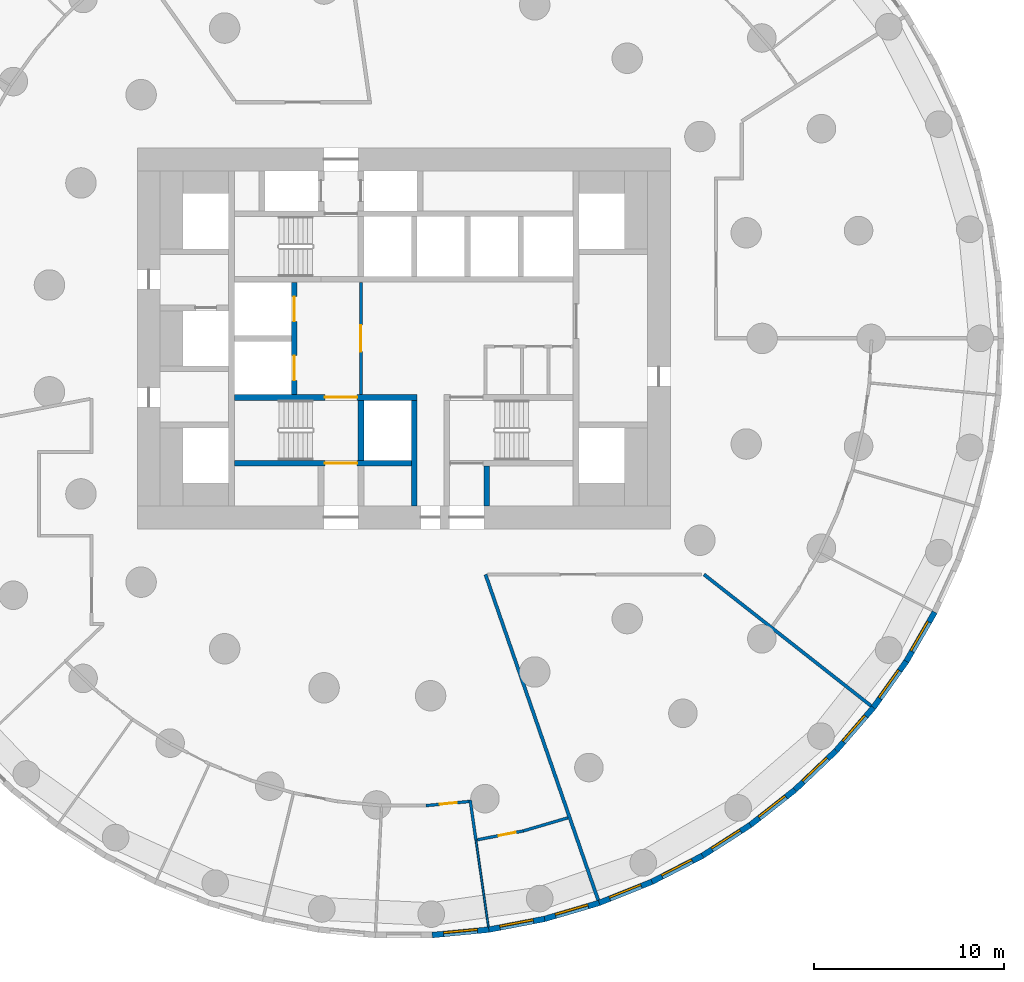
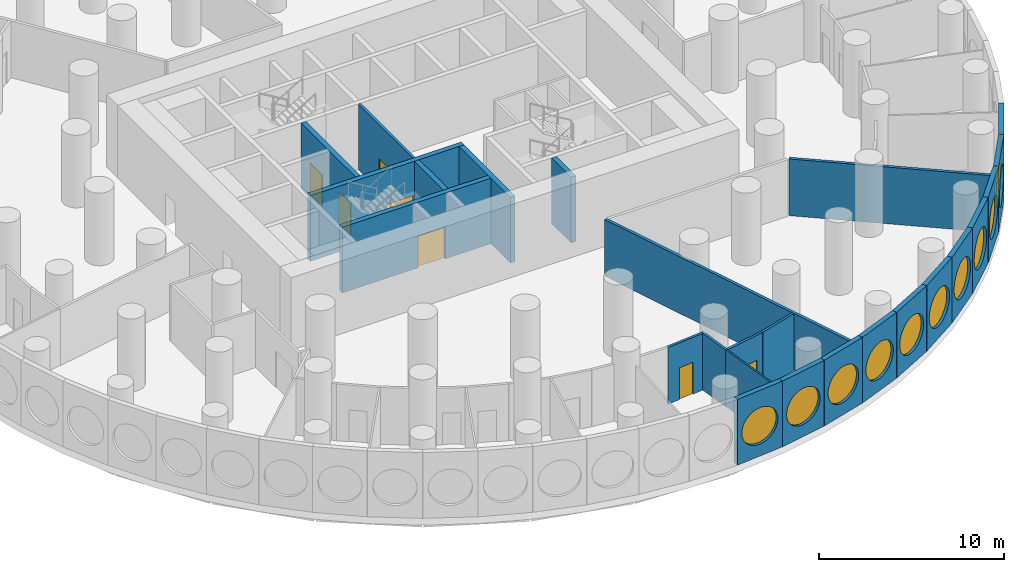
# One storey, part 4 of 11: 25 walls, 11 windows, 7 doors, 18 openings.
"""IFC4 building model written with IfcOpenShell, lengths in metres."""

from ifc_helpers import new_model, si_unit, direction, frame, frame_2d, origin, origin_2d, place, context, subcontext, project, spatial, rectangle, circle, extrude, material, layer, layer_set, type_object, element, fill, save


model = new_model("IFC4")

# Units and contexts
model_context = context("Model", 3, precision=1e-05, world=origin(), true_north=direction((0.0, 1.0)))
body_context = subcontext(model_context, "Body", "Model", "MODEL_VIEW")
ifc_project = project(units=[si_unit("LENGTHUNIT", "METRE"), si_unit("AREAUNIT", "SQUARE_METRE"), si_unit("VOLUMEUNIT", "CUBIC_METRE"), si_unit("PLANEANGLEUNIT", "RADIAN"), si_unit("MASSUNIT", "GRAM", prefix="KILO")], contexts=[model_context])

# Site, building, storey
site_placement = place(None, origin())
site = spatial("IfcSite", under=ifc_project, at=site_placement, CompositionType="ELEMENT")
building_placement = place(site_placement, origin())
building = spatial("IfcBuilding", under=site, at=building_placement, Name="Tracery Tower", CompositionType="ELEMENT")
storey_placement = place(building_placement, frame((0.0, 0.0, 9.0)))
storey = spatial("IfcBuildingStorey", under=building, at=storey_placement, Name="L01", CompositionType="ELEMENT", Elevation=9.0)

# Walls
ifc_material_1 = material(Name="Plasterboard on steel studs", Category="steel")
ifc_layer_1 = layer(ifc_material_1, 0.175048828125)
ifc_layer_set_1 = layer_set([ifc_layer_1], Name="Compartment partition 175")
wall_type_1 = type_object("IfcWallType", Name="Compartment partition 175", PredefinedType="PARTITIONING", material=ifc_layer_set_1)
wall_1_placement = place(storey_placement, frame((10.21240234375, -29.507080078125, 0.0), z_axis=(0.0, 0.0, 1.0), x_axis=(-0.327058221259, 0.945004190418, 0.0)))
element("IfcWall", 1, at=wall_1_placement, inside=storey, type_object=wall_type_1, Name="Compartment partition 175", PredefinedType="PARTITIONING", context=body_context, shape_type="SweptSolid", body=[
    extrude(rectangle(XDim=18.102783203125, YDim=0.175048828125, at=frame_2d((9.05126953125, 0.0))), origin(), (0.0, 0.0, 1.0), 3.75),
])
wall_2_placement = place(storey_placement, frame((24.5439453125, -19.301513671875, 0.0), z_axis=(0.0, 0.0, 1.0), x_axis=(-0.786053448117, 0.618158536869, 0.0)))
element("IfcWall", 2, at=wall_2_placement, inside=storey, type_object=wall_type_1, Name="Compartment partition 175", PredefinedType="PARTITIONING", context=body_context, shape_type="SweptSolid", body=[
    extrude(rectangle(XDim=11.164794921875, YDim=0.175048828125, at=frame_2d((5.58251953125, 0.0))), origin(), (0.0, 0.0, 1.0), 3.75),
])

# Wall, opening, door
ifc_material_2 = material(Name="Plasterboard on steel studs", Category="steel")
ifc_layer_2 = layer(ifc_material_2, 0.14990234375)
ifc_layer_set_2 = layer_set([ifc_layer_2], Name="Core lobby partition 150")
wall_type_2 = type_object("IfcWallType", Name="Core lobby partition 150", PredefinedType="SOLIDWALL", material=ifc_layer_set_2)
wall_3_placement = place(storey_placement, frame((-2.25, -2.949951171875, 0.0), z_axis=(0.0, 0.0, 1.0), x_axis=(0.0, 1.0, 0.0)))
wall_3 = element("IfcWall", 3, at=wall_3_placement, inside=storey, type_object=wall_type_2, Name="L01 FF lobby E", PredefinedType="SOLIDWALL", context=body_context, shape_type="SweptSolid", body=[
    extrude(rectangle(XDim=5.89990234375, YDim=0.14990234375, at=frame_2d((2.949951171875, 0.0))), origin(), (0.0, 0.0, 1.0), 4.35009765625),
])
opening_1_placement = place(wall_3_placement, frame((2.25, 0.0, 0.0)))
opening_1 = element("IfcOpeningElement", 4, at=opening_1_placement, cuts=wall_3, Name="Opening KD8", PredefinedType="OPENING", context=body_context, shape_type="SweptSolid", body=[
    extrude(rectangle(XDim=1.39990234375, YDim=2.10009765625, at=frame_2d((0.699951171875, 1.050048828125))), frame((0.0, 0.074951171875, 0.0), z_axis=(0.0, -1.0, 0.0), x_axis=(1.0, 0.0, 0.0)), (0.0, 0.0, 1.0), 0.14990234375),
])
ifc_material_3 = material(Name="Steel fire door", Category="steel")
door_type_1 = type_object("IfcDoorType", Name="Core lobby door 1400 double", OperationType="NOTDEFINED", PredefinedType="DOOR", material=ifc_material_3)
door_1_placement = place(opening_1_placement, origin())
door_1 = element("IfcDoor", 5, at=door_1_placement, inside=storey, type_object=door_type_1, Name="Fire-fighting lobby door", OperationType="DOUBLE_DOOR_SINGLE_SWING", OverallHeight=2.10009765625, OverallWidth=1.39990234375, PredefinedType="DOOR", context=body_context, shape_type="SweptSolid", body=[
    extrude(rectangle(XDim=1.39990234375, YDim=2.10009765625, at=frame_2d((0.699951171875, 1.050048828125))), frame((0.0, 0.02490234375, 0.0), z_axis=(0.0, -1.0, 0.0), x_axis=(1.0, 0.0, 0.0)), (0.0, 0.0, 1.0), 0.050048828125),
])
fill(opening_1, door_1)

ifc_material_4 = material(Name="Plasterboard on steel studs", Category="steel")
ifc_layer_3 = layer(ifc_material_4, 0.14990234375)
ifc_layer_set_3 = layer_set([ifc_layer_3], Name="Corridor partition 150")
wall_type_3 = type_object("IfcWallType", Name="Corridor partition 150", PredefinedType="PARTITIONING", material=ifc_layer_set_3)
wall_4_placement = place(storey_placement, frame((3.42138671875, -24.32373046875, 0.0), z_axis=(0.0, 0.0, 1.0), x_axis=(-0.995471679408, -0.095058589807, 0.0)))
wall_4 = element("IfcWall", 6, at=wall_4_placement, inside=storey, type_object=wall_type_3, Name="Corridor partition 150", PredefinedType="PARTITIONING", context=body_context, shape_type="SweptSolid", body=[
    extrude(rectangle(XDim=2.2626953125, YDim=0.14990234375, at=frame_2d((1.13134765625, 0.0))), origin(), (0.0, 0.0, 1.0), 3.75),
])
opening_2_placement = place(wall_4_placement, frame((0.643798828125, 0.0, 0.0)))
opening_2 = element("IfcOpeningElement", 7, at=opening_2_placement, cuts=wall_4, Name="Opening SB-L01-22", PredefinedType="OPENING", context=body_context, shape_type="SweptSolid", body=[
    extrude(rectangle(XDim=0.89990234375, YDim=2.10009765625, at=frame_2d((0.449951171875, 1.050048828125))), frame((0.0, 0.074951171875, 0.0), z_axis=(0.0, -1.0, 0.0), x_axis=(1.0, 0.0, 0.0)), (0.0, 0.0, 1.0), 0.14990234375),
])
ifc_material_5 = material(Name="Timber door leaf", Category="wood")
door_type_2 = type_object("IfcDoorType", Name="Room door 900", OperationType="NOTDEFINED", PredefinedType="DOOR", material=ifc_material_5)
door_2_placement = place(opening_2_placement, origin())
door_2 = element("IfcDoor", 8, at=door_2_placement, inside=storey, type_object=door_type_2, Name="Room door 900", OperationType="SINGLE_SWING_RIGHT", OverallHeight=2.10009765625, OverallWidth=0.89990234375, PredefinedType="DOOR", context=body_context, shape_type="SweptSolid", body=[
    extrude(rectangle(XDim=0.89990234375, YDim=2.10009765625, at=frame_2d((0.449951171875, 1.050048828125))), frame((0.0, 0.02490234375, 0.0), z_axis=(0.0, -1.0, 0.0), x_axis=(1.0, 0.0, 0.0)), (0.0, 0.0, 1.0), 0.050048828125),
])
fill(opening_2, door_2)

# Wall
wall_5_placement = place(storey_placement, frame((3.788330078125, -26.34814453125, 0.0), z_axis=(0.0, 0.0, 1.0), x_axis=(-0.14230496784, 0.989822860985, 0.0)))
element("IfcWall", 9, at=wall_5_placement, inside=storey, type_object=wall_type_3, Name="Corridor partition 150", PredefinedType="PARTITIONING", context=body_context, shape_type="SweptSolid", body=[
    extrude(rectangle(XDim=2.12744140625, YDim=0.14990234375, at=frame_2d((1.063720703125, 0.0))), origin(), (0.0, 0.0, 1.0), 3.75),
])

# Wall, opening, door
wall_6_placement = place(storey_placement, frame((6.275634765625, -25.86865234375, 0.0), z_axis=(0.0, 0.0, 1.0), x_axis=(-0.981917073198, -0.189311545773, 0.0)))
wall_6 = element("IfcWall", 10, at=wall_6_placement, inside=storey, type_object=wall_type_3, Name="Corridor partition 150", PredefinedType="PARTITIONING", context=body_context, shape_type="SweptSolid", body=[
    extrude(rectangle(XDim=2.4580078125, YDim=0.14990234375, at=frame_2d((1.22900390625, 0.0))), origin(), (0.0, 0.0, 1.0), 3.75),
])
opening_3_placement = place(wall_6_placement, frame((0.41650390625, 0.0, 0.0)))
opening_3 = element("IfcOpeningElement", 11, at=opening_3_placement, cuts=wall_6, Name="Opening SB-L01-23", PredefinedType="OPENING", context=body_context, shape_type="SweptSolid", body=[
    extrude(rectangle(XDim=0.89990234375, YDim=2.10009765625, at=frame_2d((0.449951171875, 1.050048828125))), frame((0.0, 0.074951171875, 0.0), z_axis=(0.0, -1.0, 0.0), x_axis=(1.0, 0.0, 0.0)), (0.0, 0.0, 1.0), 0.14990234375),
])
ifc_material_6 = material(Name="Steel fire door", Category="steel")
door_type_3 = type_object("IfcDoorType", Name="Store door 900", OperationType="NOTDEFINED", PredefinedType="DOOR", material=ifc_material_6)
door_3_placement = place(opening_3_placement, origin())
door_3 = element("IfcDoor", 12, at=door_3_placement, inside=storey, type_object=door_type_3, Name="Store door 900", OperationType="SINGLE_SWING_RIGHT", OverallHeight=2.10009765625, OverallWidth=0.89990234375, PredefinedType="DOOR", context=body_context, shape_type="SweptSolid", body=[
    extrude(rectangle(XDim=0.89990234375, YDim=2.10009765625, at=frame_2d((0.449951171875, 1.050048828125))), frame((0.0, 0.02490234375, 0.0), z_axis=(0.0, -1.0, 0.0), x_axis=(1.0, 0.0, 0.0)), (0.0, 0.0, 1.0), 0.050048828125),
])
fill(opening_3, door_3)

# Wall
wall_7_placement = place(storey_placement, frame((6.275634765625, -25.86865234375, 0.0), z_axis=(0.0, 0.0, 1.0), x_axis=(0.959492672172, 0.281733583457, 0.0)))
element("IfcWall", 13, at=wall_7_placement, inside=storey, type_object=wall_type_3, Name="Corridor partition 150", PredefinedType="PARTITIONING", context=body_context, shape_type="SweptSolid", body=[
    extrude(rectangle(XDim=2.443603515625, YDim=0.14990234375, at=frame_2d((1.2216796875, 0.0))), origin(), (0.0, 0.0, 1.0), 3.75),
])

# Wall, opening, window
ifc_material_7 = material(Name="Precast concrete C50/60", Category="concrete")
ifc_layer_4 = layer(ifc_material_7, 0.300048828125)
ifc_layer_set_4 = layer_set([ifc_layer_4], Name="Facade panel 3000 x 4350")
wall_type_4 = type_object("IfcWallType", Name="Facade panel 3000 x 4350", PredefinedType="SOLIDWALL", material=ifc_layer_set_4)
wall_8_placement = place(storey_placement, frame((1.492919921875, -31.3388671875, 0.0), z_axis=(0.0, 0.0, 1.0), x_axis=(0.99547560533, 0.095017467833, 0.0)))
wall_8 = element("IfcWall", 14, at=wall_8_placement, inside=storey, type_object=wall_type_4, Name="Facade panel 51 at L01", PredefinedType="SOLIDWALL", context=body_context, shape_type="SweptSolid", body=[
    extrude(rectangle(XDim=2.985595703125, YDim=0.300048828125, at=frame_2d((1.49267578125, 0.0))), origin(), (0.0, 0.0, 1.0), 4.35009765625),
])
opening_4_placement = place(wall_8_placement, frame((1.492919921875, 0.0, 2.0)))
opening_4 = element("IfcOpeningElement", 15, at=opening_4_placement, cuts=wall_8, Name="Opening WN2", PredefinedType="OPENING", context=body_context, shape_type="SweptSolid", body=[
    extrude(circle(Radius=1.199951171875, at=origin_2d()), frame((0.0, 0.159912109375, 0.0), z_axis=(0.0, -1.0, 0.0), x_axis=(1.0, 0.0, 0.0)), (0.0, 0.0, 1.0), 0.320068359375),
])
ifc_material_8 = material(Name="Aluminium frame with tinted double glazing", Category="aluminium")
window_type = type_object("IfcWindowType", Name="Round window 2400", PartitioningType="SINGLE_PANEL", PredefinedType="WINDOW", material=ifc_material_8)
window_1_placement = place(opening_4_placement, origin())
window_1 = element("IfcWindow", 16, at=window_1_placement, inside=storey, type_object=window_type, Name="Round window 51 at L01", OverallHeight=2.39990234375, OverallWidth=2.39990234375, PartitioningType="SINGLE_PANEL", PredefinedType="WINDOW", context=body_context, shape_type="SweptSolid", body=[
    extrude(circle(Radius=1.199951171875, at=origin_2d()), frame((0.0, 0.1201171875, 0.0), z_axis=(0.0, -1.0, 0.0), x_axis=(1.0, 0.0, 0.0)), (0.0, 0.0, 1.0), 0.10009765625),
])
fill(opening_4, window_1)

wall_9_placement = place(storey_placement, frame((4.465087890625, -31.05517578125, 0.0), z_axis=(0.0, 0.0, 1.0), x_axis=(0.981918853666, 0.189302310646, 0.0)))
wall_9 = element("IfcWall", 17, at=wall_9_placement, inside=storey, type_object=wall_type_4, Name="Facade panel 52 at L01", PredefinedType="SOLIDWALL", context=body_context, shape_type="SweptSolid", body=[
    extrude(rectangle(XDim=2.985595703125, YDim=0.300048828125, at=frame_2d((1.49267578125, 0.0))), origin(), (0.0, 0.0, 1.0), 4.35009765625),
])
opening_5_placement = place(wall_9_placement, frame((1.492919921875, 0.0, 2.0)))
opening_5 = element("IfcOpeningElement", 18, at=opening_5_placement, cuts=wall_9, Name="Opening WN2", PredefinedType="OPENING", context=body_context, shape_type="SweptSolid", body=[
    extrude(circle(Radius=1.199951171875, at=origin_2d()), frame((0.0, 0.159912109375, 0.0), z_axis=(0.0, -1.0, 0.0), x_axis=(1.0, 0.0, 0.0)), (0.0, 0.0, 1.0), 0.320068359375),
])
window_2_placement = place(opening_5_placement, origin())
window_2 = element("IfcWindow", 19, at=window_2_placement, inside=storey, type_object=window_type, Name="Round window 52 at L01", OverallHeight=2.39990234375, OverallWidth=2.39990234375, PartitioningType="SINGLE_PANEL", PredefinedType="WINDOW", context=body_context, shape_type="SweptSolid", body=[
    extrude(circle(Radius=1.199951171875, at=origin_2d()), frame((0.0, 0.1201171875, 0.0), z_axis=(0.0, -1.0, 0.0), x_axis=(1.0, 0.0, 0.0)), (0.0, 0.0, 1.0), 0.10009765625),
])
fill(opening_5, window_2)

wall_10_placement = place(storey_placement, frame((7.396728515625, -30.489990234375, 0.0), z_axis=(0.0, 0.0, 1.0), x_axis=(0.959502108153, 0.281701445593, 0.0)))
wall_10 = element("IfcWall", 20, at=wall_10_placement, inside=storey, type_object=wall_type_4, Name="Facade panel 53 at L01", PredefinedType="SOLIDWALL", context=body_context, shape_type="SweptSolid", body=[
    extrude(rectangle(XDim=2.985595703125, YDim=0.300048828125, at=frame_2d((1.49267578125, 0.0))), origin(), (0.0, 0.0, 1.0), 4.35009765625),
])
opening_6_placement = place(wall_10_placement, frame((1.492919921875, 0.0, 2.0)))
opening_6 = element("IfcOpeningElement", 21, at=opening_6_placement, cuts=wall_10, Name="Opening WN2", PredefinedType="OPENING", context=body_context, shape_type="SweptSolid", body=[
    extrude(circle(Radius=1.199951171875, at=origin_2d()), frame((0.0, 0.159912109375, 0.0), z_axis=(0.0, -1.0, 0.0), x_axis=(1.0, 0.0, 0.0)), (0.0, 0.0, 1.0), 0.320068359375),
])
window_3_placement = place(opening_6_placement, origin())
window_3 = element("IfcWindow", 22, at=window_3_placement, inside=storey, type_object=window_type, Name="Round window 53 at L01", OverallHeight=2.39990234375, OverallWidth=2.39990234375, PartitioningType="SINGLE_PANEL", PredefinedType="WINDOW", context=body_context, shape_type="SweptSolid", body=[
    extrude(circle(Radius=1.199951171875, at=origin_2d()), frame((0.0, 0.1201171875, 0.0), z_axis=(0.0, -1.0, 0.0), x_axis=(1.0, 0.0, 0.0)), (0.0, 0.0, 1.0), 0.10009765625),
])
fill(opening_6, window_3)

wall_11_placement = place(storey_placement, frame((10.261474609375, -29.64892578125, 0.0), z_axis=(0.0, 0.0, 1.0), x_axis=(0.928380795373, 0.371630325434, 0.0)))
wall_11 = element("IfcWall", 23, at=wall_11_placement, inside=storey, type_object=wall_type_4, Name="Facade panel 54 at L01", PredefinedType="SOLIDWALL", context=body_context, shape_type="SweptSolid", body=[
    extrude(rectangle(XDim=2.98583984375, YDim=0.300048828125, at=frame_2d((1.492919921875, 0.0))), origin(), (0.0, 0.0, 1.0), 4.35009765625),
])
opening_7_placement = place(wall_11_placement, frame((1.492919921875, 0.0, 2.0)))
opening_7 = element("IfcOpeningElement", 24, at=opening_7_placement, cuts=wall_11, Name="Opening WN2", PredefinedType="OPENING", context=body_context, shape_type="SweptSolid", body=[
    extrude(circle(Radius=1.199951171875, at=origin_2d()), frame((0.0, 0.159912109375, 0.0), z_axis=(0.0, -1.0, 0.0), x_axis=(1.0, 0.0, 0.0)), (0.0, 0.0, 1.0), 0.320068359375),
])
window_4_placement = place(opening_7_placement, origin())
window_4 = element("IfcWindow", 25, at=window_4_placement, inside=storey, type_object=window_type, Name="Round window 54 at L01", OverallHeight=2.39990234375, OverallWidth=2.39990234375, PartitioningType="SINGLE_PANEL", PredefinedType="WINDOW", context=body_context, shape_type="SweptSolid", body=[
    extrude(circle(Radius=1.199951171875, at=origin_2d()), frame((0.0, 0.1201171875, 0.0), z_axis=(0.0, -1.0, 0.0), x_axis=(1.0, 0.0, 0.0)), (0.0, 0.0, 1.0), 0.10009765625),
])
fill(opening_7, window_4)

wall_12_placement = place(storey_placement, frame((13.033447265625, -28.539306640625, 0.0), z_axis=(0.0, 0.0, 1.0), x_axis=(0.888831268481, 0.458234630043, 0.0)))
wall_12 = element("IfcWall", 26, at=wall_12_placement, inside=storey, type_object=wall_type_4, Name="Facade panel 55 at L01", PredefinedType="SOLIDWALL", context=body_context, shape_type="SweptSolid", body=[
    extrude(rectangle(XDim=2.98583984375, YDim=0.300048828125, at=frame_2d((1.492919921875, 0.0))), origin(), (0.0, 0.0, 1.0), 4.35009765625),
])
opening_8_placement = place(wall_12_placement, frame((1.492919921875, 0.0, 2.0)))
opening_8 = element("IfcOpeningElement", 27, at=opening_8_placement, cuts=wall_12, Name="Opening WN2", PredefinedType="OPENING", context=body_context, shape_type="SweptSolid", body=[
    extrude(circle(Radius=1.199951171875, at=origin_2d()), frame((0.0, 0.159912109375, 0.0), z_axis=(0.0, -1.0, 0.0), x_axis=(1.0, 0.0, 0.0)), (0.0, 0.0, 1.0), 0.320068359375),
])
window_5_placement = place(opening_8_placement, origin())
window_5 = element("IfcWindow", 28, at=window_5_placement, inside=storey, type_object=window_type, Name="Round window 55 at L01", OverallHeight=2.39990234375, OverallWidth=2.39990234375, PartitioningType="SINGLE_PANEL", PredefinedType="WINDOW", context=body_context, shape_type="SweptSolid", body=[
    extrude(circle(Radius=1.199951171875, at=origin_2d()), frame((0.0, 0.1201171875, 0.0), z_axis=(0.0, -1.0, 0.0), x_axis=(1.0, 0.0, 0.0)), (0.0, 0.0, 1.0), 0.10009765625),
])
fill(opening_8, window_5)

wall_13_placement = place(storey_placement, frame((15.687255859375, -27.171142578125, 0.0), z_axis=(0.0, 0.0, 1.0), x_axis=(0.841242231846, 0.540658401727, 0.0)))
wall_13 = element("IfcWall", 29, at=wall_13_placement, inside=storey, type_object=wall_type_4, Name="Facade panel 56 at L01", PredefinedType="SOLIDWALL", context=body_context, shape_type="SweptSolid", body=[
    extrude(rectangle(XDim=2.98583984375, YDim=0.300048828125, at=frame_2d((1.492919921875, 0.0))), origin(), (0.0, 0.0, 1.0), 4.35009765625),
])
opening_9_placement = place(wall_13_placement, frame((1.492919921875, 0.0, 2.0)))
opening_9 = element("IfcOpeningElement", 30, at=opening_9_placement, cuts=wall_13, Name="Opening WN2", PredefinedType="OPENING", context=body_context, shape_type="SweptSolid", body=[
    extrude(circle(Radius=1.199951171875, at=origin_2d()), frame((0.0, 0.159912109375, 0.0), z_axis=(0.0, -1.0, 0.0), x_axis=(1.0, 0.0, 0.0)), (0.0, 0.0, 1.0), 0.320068359375),
])
window_6_placement = place(opening_9_placement, origin())
window_6 = element("IfcWindow", 31, at=window_6_placement, inside=storey, type_object=window_type, Name="Round window 56 at L01", OverallHeight=2.39990234375, OverallWidth=2.39990234375, PartitioningType="SINGLE_PANEL", PredefinedType="WINDOW", context=body_context, shape_type="SweptSolid", body=[
    extrude(circle(Radius=1.199951171875, at=origin_2d()), frame((0.0, 0.1201171875, 0.0), z_axis=(0.0, -1.0, 0.0), x_axis=(1.0, 0.0, 0.0)), (0.0, 0.0, 1.0), 0.10009765625),
])
fill(opening_9, window_6)

wall_14_placement = place(storey_placement, frame((18.198974609375, -25.556884765625, 0.0), z_axis=(0.0, 0.0, 1.0), x_axis=(0.786043032847, 0.618171780747, 0.0)))
wall_14 = element("IfcWall", 32, at=wall_14_placement, inside=storey, type_object=wall_type_4, Name="Facade panel 57 at L01", PredefinedType="SOLIDWALL", context=body_context, shape_type="SweptSolid", body=[
    extrude(rectangle(XDim=2.98583984375, YDim=0.300048828125, at=frame_2d((1.492919921875, 0.0))), origin(), (0.0, 0.0, 1.0), 4.35009765625),
])
opening_10_placement = place(wall_14_placement, frame((1.492919921875, 0.0, 2.0)))
opening_10 = element("IfcOpeningElement", 33, at=opening_10_placement, cuts=wall_14, Name="Opening WN2", PredefinedType="OPENING", context=body_context, shape_type="SweptSolid", body=[
    extrude(circle(Radius=1.199951171875, at=origin_2d()), frame((0.0, 0.159912109375, 0.0), z_axis=(0.0, -1.0, 0.0), x_axis=(1.0, 0.0, 0.0)), (0.0, 0.0, 1.0), 0.320068359375),
])
window_7_placement = place(opening_10_placement, origin())
window_7 = element("IfcWindow", 34, at=window_7_placement, inside=storey, type_object=window_type, Name="Round window 57 at L01", OverallHeight=2.39990234375, OverallWidth=2.39990234375, PartitioningType="SINGLE_PANEL", PredefinedType="WINDOW", context=body_context, shape_type="SweptSolid", body=[
    extrude(circle(Radius=1.199951171875, at=origin_2d()), frame((0.0, 0.1201171875, 0.0), z_axis=(0.0, -1.0, 0.0), x_axis=(1.0, 0.0, 0.0)), (0.0, 0.0, 1.0), 0.10009765625),
])
fill(opening_10, window_7)

wall_15_placement = place(storey_placement, frame((20.5458984375, -23.711181640625, 0.0), z_axis=(0.0, 0.0, 1.0), x_axis=(0.723750841228, 0.690061388444, 0.0)))
wall_15 = element("IfcWall", 35, at=wall_15_placement, inside=storey, type_object=wall_type_4, Name="Facade panel 58 at L01", PredefinedType="SOLIDWALL", context=body_context, shape_type="SweptSolid", body=[
    extrude(rectangle(XDim=2.985595703125, YDim=0.300048828125, at=frame_2d((1.49267578125, 0.0))), origin(), (0.0, 0.0, 1.0), 4.35009765625),
])
opening_11_placement = place(wall_15_placement, frame((1.492919921875, 0.0, 2.0)))
opening_11 = element("IfcOpeningElement", 36, at=opening_11_placement, cuts=wall_15, Name="Opening WN2", PredefinedType="OPENING", context=body_context, shape_type="SweptSolid", body=[
    extrude(circle(Radius=1.199951171875, at=origin_2d()), frame((0.0, 0.159912109375, 0.0), z_axis=(0.0, -1.0, 0.0), x_axis=(1.0, 0.0, 0.0)), (0.0, 0.0, 1.0), 0.320068359375),
])
window_8_placement = place(opening_11_placement, origin())
window_8 = element("IfcWindow", 37, at=window_8_placement, inside=storey, type_object=window_type, Name="Round window 58 at L01", OverallHeight=2.39990234375, OverallWidth=2.39990234375, PartitioningType="SINGLE_PANEL", PredefinedType="WINDOW", context=body_context, shape_type="SweptSolid", body=[
    extrude(circle(Radius=1.199951171875, at=origin_2d()), frame((0.0, 0.1201171875, 0.0), z_axis=(0.0, -1.0, 0.0), x_axis=(1.0, 0.0, 0.0)), (0.0, 0.0, 1.0), 0.10009765625),
])
fill(opening_11, window_8)

wall_16_placement = place(storey_placement, frame((22.706787109375, -21.65087890625, 0.0), z_axis=(0.0, 0.0, 1.0), x_axis=(0.654809121128, 0.755794294029, 0.0)))
wall_16 = element("IfcWall", 38, at=wall_16_placement, inside=storey, type_object=wall_type_4, Name="Facade panel 59 at L01", PredefinedType="SOLIDWALL", context=body_context, shape_type="SweptSolid", body=[
    extrude(rectangle(XDim=2.98583984375, YDim=0.300048828125, at=frame_2d((1.492919921875, 0.0))), origin(), (0.0, 0.0, 1.0), 4.35009765625),
])
opening_12_placement = place(wall_16_placement, frame((1.492919921875, 0.0, 2.0)))
opening_12 = element("IfcOpeningElement", 39, at=opening_12_placement, cuts=wall_16, Name="Opening WN2", PredefinedType="OPENING", context=body_context, shape_type="SweptSolid", body=[
    extrude(circle(Radius=1.199951171875, at=origin_2d()), frame((0.0, 0.159912109375, 0.0), z_axis=(0.0, -1.0, 0.0), x_axis=(1.0, 0.0, 0.0)), (0.0, 0.0, 1.0), 0.320068359375),
])
window_9_placement = place(opening_12_placement, origin())
window_9 = element("IfcWindow", 40, at=window_9_placement, inside=storey, type_object=window_type, Name="Round window 59 at L01", OverallHeight=2.39990234375, OverallWidth=2.39990234375, PartitioningType="SINGLE_PANEL", PredefinedType="WINDOW", context=body_context, shape_type="SweptSolid", body=[
    extrude(circle(Radius=1.199951171875, at=origin_2d()), frame((0.0, 0.1201171875, 0.0), z_axis=(0.0, -1.0, 0.0), x_axis=(1.0, 0.0, 0.0)), (0.0, 0.0, 1.0), 0.10009765625),
])
fill(opening_12, window_9)

wall_17_placement = place(storey_placement, frame((24.661865234375, -19.394287109375, 0.0), z_axis=(0.0, 0.0, 1.0), x_axis=(0.580100533892, 0.814544885551, 0.0)))
wall_17 = element("IfcWall", 41, at=wall_17_placement, inside=storey, type_object=wall_type_4, Name="Facade panel 60 at L01", PredefinedType="SOLIDWALL", context=body_context, shape_type="SweptSolid", body=[
    extrude(rectangle(XDim=2.985595703125, YDim=0.300048828125, at=frame_2d((1.49267578125, 0.0))), origin(), (0.0, 0.0, 1.0), 4.35009765625),
])
opening_13_placement = place(wall_17_placement, frame((1.492919921875, 0.0, 2.0)))
opening_13 = element("IfcOpeningElement", 42, at=opening_13_placement, cuts=wall_17, Name="Opening WN2", PredefinedType="OPENING", context=body_context, shape_type="SweptSolid", body=[
    extrude(circle(Radius=1.199951171875, at=origin_2d()), frame((0.0, 0.159912109375, 0.0), z_axis=(0.0, -1.0, 0.0), x_axis=(1.0, 0.0, 0.0)), (0.0, 0.0, 1.0), 0.320068359375),
])
window_10_placement = place(opening_13_placement, origin())
window_10 = element("IfcWindow", 43, at=window_10_placement, inside=storey, type_object=window_type, Name="Round window 60 at L01", OverallHeight=2.39990234375, OverallWidth=2.39990234375, PartitioningType="SINGLE_PANEL", PredefinedType="WINDOW", context=body_context, shape_type="SweptSolid", body=[
    extrude(circle(Radius=1.199951171875, at=origin_2d()), frame((0.0, 0.1201171875, 0.0), z_axis=(0.0, -1.0, 0.0), x_axis=(1.0, 0.0, 0.0)), (0.0, 0.0, 1.0), 0.10009765625),
])
fill(opening_13, window_10)

wall_18_placement = place(storey_placement, frame((26.393798828125, -16.96240234375, 0.0), z_axis=(0.0, 0.0, 1.0), x_axis=(0.500017373705, 0.866015372839, 0.0)))
wall_18 = element("IfcWall", 44, at=wall_18_placement, inside=storey, type_object=wall_type_4, Name="Facade panel 61 at L01", PredefinedType="SOLIDWALL", context=body_context, shape_type="SweptSolid", body=[
    extrude(rectangle(XDim=2.98583984375, YDim=0.300048828125, at=frame_2d((1.492919921875, 0.0))), origin(), (0.0, 0.0, 1.0), 4.35009765625),
])
opening_14_placement = place(wall_18_placement, frame((1.492919921875, 0.0, 2.0)))
opening_14 = element("IfcOpeningElement", 45, at=opening_14_placement, cuts=wall_18, Name="Opening WN2", PredefinedType="OPENING", context=body_context, shape_type="SweptSolid", body=[
    extrude(circle(Radius=1.199951171875, at=origin_2d()), frame((0.0, 0.159912109375, 0.0), z_axis=(0.0, -1.0, 0.0), x_axis=(1.0, 0.0, 0.0)), (0.0, 0.0, 1.0), 0.320068359375),
])
window_11_placement = place(opening_14_placement, origin())
window_11 = element("IfcWindow", 46, at=window_11_placement, inside=storey, type_object=window_type, Name="Round window 61 at L01", OverallHeight=2.39990234375, OverallWidth=2.39990234375, PartitioningType="SINGLE_PANEL", PredefinedType="WINDOW", context=body_context, shape_type="SweptSolid", body=[
    extrude(circle(Radius=1.199951171875, at=origin_2d()), frame((0.0, 0.1201171875, 0.0), z_axis=(0.0, -1.0, 0.0), x_axis=(1.0, 0.0, 0.0)), (0.0, 0.0, 1.0), 0.10009765625),
])
fill(opening_14, window_11)

# Wall, openings, doors
ifc_material_9 = material(Name="Concrete C60/75", Category="concrete")
ifc_layer_5 = layer(ifc_material_9, 0.300048828125)
ifc_layer_set_5 = layer_set([ifc_layer_5], Name="Shaft wall 300 C60")
wall_type_5 = type_object("IfcWallType", Name="Shaft wall 300 C60", PredefinedType="SOLIDWALL", material=ifc_layer_set_5)
wall_19_placement = place(storey_placement, frame((-5.75, -2.949951171875, 0.0), z_axis=(0.0, 0.0, 1.0), x_axis=(0.0, 1.0, 0.0)))
wall_19 = element("IfcWall", 47, at=wall_19_placement, inside=storey, type_object=wall_type_5, Name="L01 FF doors", PredefinedType="SOLIDWALL", context=body_context, shape_type="SweptSolid", body=[
    extrude(rectangle(XDim=5.89990234375, YDim=0.300048828125, at=frame_2d((2.949951171875, 0.0))), origin(), (0.0, 0.0, 1.0), 4.35009765625),
])
opening_15_placement = place(wall_19_placement, frame((0.75, 0.0, 0.0)))
opening_15 = element("IfcOpeningElement", 48, at=opening_15_placement, cuts=wall_19, Name="Opening KD54", PredefinedType="OPENING", context=body_context, shape_type="SweptSolid", body=[
    extrude(rectangle(XDim=1.300048828125, YDim=2.10009765625, at=frame_2d((0.64990234375, 1.050048828125))), frame((0.0, 0.14990234375, 0.0), z_axis=(0.0, -1.0, 0.0), x_axis=(1.0, 0.0, 0.0)), (0.0, 0.0, 1.0), 0.300048828125),
])
opening_16_placement = place(wall_19_placement, frame((3.85009765625, 0.0, 0.0)))
opening_16 = element("IfcOpeningElement", 49, at=opening_16_placement, cuts=wall_19, Name="Opening KD55", PredefinedType="OPENING", context=body_context, shape_type="SweptSolid", body=[
    extrude(rectangle(XDim=1.300048828125, YDim=2.10009765625, at=frame_2d((0.64990234375, 1.050048828125))), frame((0.0, 0.14990234375, 0.0), z_axis=(0.0, -1.0, 0.0), x_axis=(1.0, 0.0, 0.0)), (0.0, 0.0, 1.0), 0.300048828125),
])
ifc_material_10 = material(Name="Steel fire door", Category="steel")
door_type_4 = type_object("IfcDoorType", Name="Landing door FF 1300", OperationType="NOTDEFINED", PredefinedType="DOOR", material=ifc_material_10)
door_4_placement = place(opening_15_placement, origin())
door_4 = element("IfcDoor", 50, at=door_4_placement, inside=storey, type_object=door_type_4, Name="Landing door FF1", OperationType="SLIDING_TO_LEFT", OverallHeight=2.10009765625, OverallWidth=1.300048828125, PredefinedType="DOOR", context=body_context, shape_type="SweptSolid", body=[
    extrude(rectangle(XDim=1.300048828125, YDim=2.10009765625, at=frame_2d((0.64990234375, 1.050048828125))), frame((0.0, 0.02490234375, 0.0), z_axis=(0.0, -1.0, 0.0), x_axis=(1.0, 0.0, 0.0)), (0.0, 0.0, 1.0), 0.050048828125),
])
fill(opening_15, door_4)
door_5_placement = place(opening_16_placement, origin())
door_5 = element("IfcDoor", 51, at=door_5_placement, inside=storey, type_object=door_type_4, Name="Landing door FF2", OperationType="SLIDING_TO_RIGHT", OverallHeight=2.10009765625, OverallWidth=1.300048828125, PredefinedType="DOOR", context=body_context, shape_type="SweptSolid", body=[
    extrude(rectangle(XDim=1.300048828125, YDim=2.10009765625, at=frame_2d((0.64990234375, 1.050048828125))), frame((0.0, 0.02490234375, 0.0), z_axis=(0.0, -1.0, 0.0), x_axis=(1.0, 0.0, 0.0)), (0.0, 0.0, 1.0), 0.050048828125),
])
fill(opening_16, door_5)

# Walls
wall_20_placement = place(storey_placement, frame((0.550048828125, -8.800048828125, 0.0), z_axis=(0.0, 0.0, 1.0), x_axis=(0.0, 1.0, 0.0)))
element("IfcWall", 52, at=wall_20_placement, inside=storey, type_object=wall_type_5, Name="L01 OB2 E", PredefinedType="SOLIDWALL", context=body_context, shape_type="SweptSolid", body=[
    extrude(rectangle(XDim=5.550048828125, YDim=0.300048828125, at=frame_2d((2.77490234375, 0.0))), origin(), (0.0, 0.0, 1.0), 4.35009765625),
])
wall_21_placement = place(storey_placement, frame((4.35009765625, -8.800048828125, 0.0), z_axis=(0.0, 0.0, 1.0), x_axis=(0.0, 1.0, 0.0)))
element("IfcWall", 53, at=wall_21_placement, inside=storey, type_object=wall_type_5, Name="L01 band S +4.35", PredefinedType="SOLIDWALL", context=body_context, shape_type="SweptSolid", body=[
    extrude(rectangle(XDim=2.10009765625, YDim=0.300048828125, at=frame_2d((1.050048828125, 0.0))), origin(), (0.0, 0.0, 1.0), 4.35009765625),
])

# Wall, opening, door
ifc_material_11 = material(Name="Concrete C60/75", Category="concrete")
ifc_layer_6 = layer(ifc_material_11, 0.300048828125)
ifc_layer_set_6 = layer_set([ifc_layer_6], Name="Stair wall 300 C60")
wall_type_6 = type_object("IfcWallType", Name="Stair wall 300 C60", PredefinedType="SOLIDWALL", material=ifc_layer_set_6)
wall_22_placement = place(storey_placement, frame((-8.89990234375, -3.10009765625, 0.0), z_axis=(0.0, 0.0, 1.0), x_axis=(1.0, 0.0, 0.0)))
wall_22 = element("IfcWall", 54, at=wall_22_placement, inside=storey, type_object=wall_type_6, Name="L01 row S", PredefinedType="SOLIDWALL", context=body_context, shape_type="SweptSolid", body=[
    extrude(rectangle(XDim=9.599853515625, YDim=0.300048828125, at=frame_2d((4.7998046875, 0.0))), origin(), (0.0, 0.0, 1.0), 4.35009765625),
])
opening_17_placement = place(wall_22_placement, frame((4.75, 0.0, 0.0)))
opening_17 = element("IfcOpeningElement", 55, at=opening_17_placement, cuts=wall_22, Name="Opening KD3", PredefinedType="OPENING", context=body_context, shape_type="SweptSolid", body=[
    extrude(rectangle(XDim=1.699951171875, YDim=2.10009765625, at=frame_2d((0.85009765625, 1.050048828125))), frame((0.0, 0.14990234375, 0.0), z_axis=(0.0, -1.0, 0.0), x_axis=(1.0, 0.0, 0.0)), (0.0, 0.0, 1.0), 0.300048828125),
])
ifc_material_12 = material(Name="Steel fire door", Category="steel")
door_type_5 = type_object("IfcDoorType", Name="Core stair door 1700 double", OperationType="NOTDEFINED", PredefinedType="DOOR", material=ifc_material_12)
door_6_placement = place(opening_17_placement, origin())
door_6 = element("IfcDoor", 56, at=door_6_placement, inside=storey, type_object=door_type_5, Name="Stair door ST1", OperationType="DOUBLE_DOOR_SINGLE_SWING", OverallHeight=2.10009765625, OverallWidth=1.699951171875, PredefinedType="DOOR", context=body_context, shape_type="SweptSolid", body=[
    extrude(rectangle(XDim=1.699951171875, YDim=2.10009765625, at=frame_2d((0.85009765625, 1.050048828125))), frame((0.0, 0.02490234375, 0.0), z_axis=(0.0, -1.0, 0.0), x_axis=(1.0, 0.0, 0.0)), (0.0, 0.0, 1.0), 0.050048828125),
])
fill(opening_17, door_6)

# Wall
wall_23_placement = place(storey_placement, frame((-2.25, -6.39990234375, 0.0), z_axis=(0.0, 0.0, 1.0), x_axis=(0.0, 1.0, 0.0)))
element("IfcWall", 57, at=wall_23_placement, inside=storey, type_object=wall_type_6, Name="L01 ST1 E", PredefinedType="SOLIDWALL", context=body_context, shape_type="SweptSolid", body=[
    extrude(rectangle(XDim=3.14990234375, YDim=0.300048828125, at=frame_2d((1.574951171875, 0.0))), origin(), (0.0, 0.0, 1.0), 4.35009765625),
])

# Wall, opening, door
wall_24_placement = place(storey_placement, frame((-8.89990234375, -6.550048828125, 0.0), z_axis=(0.0, 0.0, 1.0), x_axis=(1.0, 0.0, 0.0)))
wall_24 = element("IfcWall", 58, at=wall_24_placement, inside=storey, type_object=wall_type_6, Name="L01 F S W", PredefinedType="SOLIDWALL", context=body_context, shape_type="SweptSolid", body=[
    extrude(rectangle(XDim=9.2998046875, YDim=0.300048828125, at=frame_2d((4.64990234375, 0.0))), origin(), (0.0, 0.0, 1.0), 4.35009765625),
])
opening_18_placement = place(wall_24_placement, frame((4.75, 0.0, 0.0)))
opening_18 = element("IfcOpeningElement", 59, at=opening_18_placement, cuts=wall_24, Name="Opening KD3", PredefinedType="OPENING", context=body_context, shape_type="SweptSolid", body=[
    extrude(rectangle(XDim=1.699951171875, YDim=2.10009765625, at=frame_2d((0.85009765625, 1.050048828125))), frame((0.0, 0.14990234375, 0.0), z_axis=(0.0, -1.0, 0.0), x_axis=(1.0, 0.0, 0.0)), (0.0, 0.0, 1.0), 0.300048828125),
])
door_7_placement = place(opening_18_placement, origin())
door_7 = element("IfcDoor", 60, at=door_7_placement, inside=storey, type_object=door_type_5, Name="Stair door ST1 S", OperationType="DOUBLE_DOOR_SINGLE_SWING", OverallHeight=2.10009765625, OverallWidth=1.699951171875, PredefinedType="DOOR", context=body_context, shape_type="SweptSolid", body=[
    extrude(rectangle(XDim=1.699951171875, YDim=2.10009765625, at=frame_2d((0.85009765625, 1.050048828125))), frame((0.0, 0.02490234375, 0.0), z_axis=(0.0, -1.0, 0.0), x_axis=(1.0, 0.0, 0.0)), (0.0, 0.0, 1.0), 0.050048828125),
])
fill(opening_18, door_7)

# Wall
ifc_material_13 = material(Name="Plasterboard on steel studs", Category="steel")
ifc_layer_7 = layer(ifc_material_13, 0.10009765625)
ifc_layer_set_7 = layer_set([ifc_layer_7], Name="Stud partition 100")
wall_type_7 = type_object("IfcWallType", Name="Stud partition 100", PredefinedType="PARTITIONING", material=ifc_layer_set_7)
wall_25_placement = place(storey_placement, frame((4.443603515625, -30.906494140625, 0.0), z_axis=(0.0, 0.0, 1.0), x_axis=(-0.142289671733, 0.989825059957, 0.0)))
element("IfcWall", 61, at=wall_25_placement, inside=storey, type_object=wall_type_7, Name="Stud partition 100", PredefinedType="PARTITIONING", context=body_context, shape_type="SweptSolid", body=[
    extrude(rectangle(XDim=4.605224609375, YDim=0.10009765625, at=frame_2d((2.302734375, 0.0))), origin(), (0.0, 0.0, 1.0), 3.75),
])

save(model, "model.ifc")
